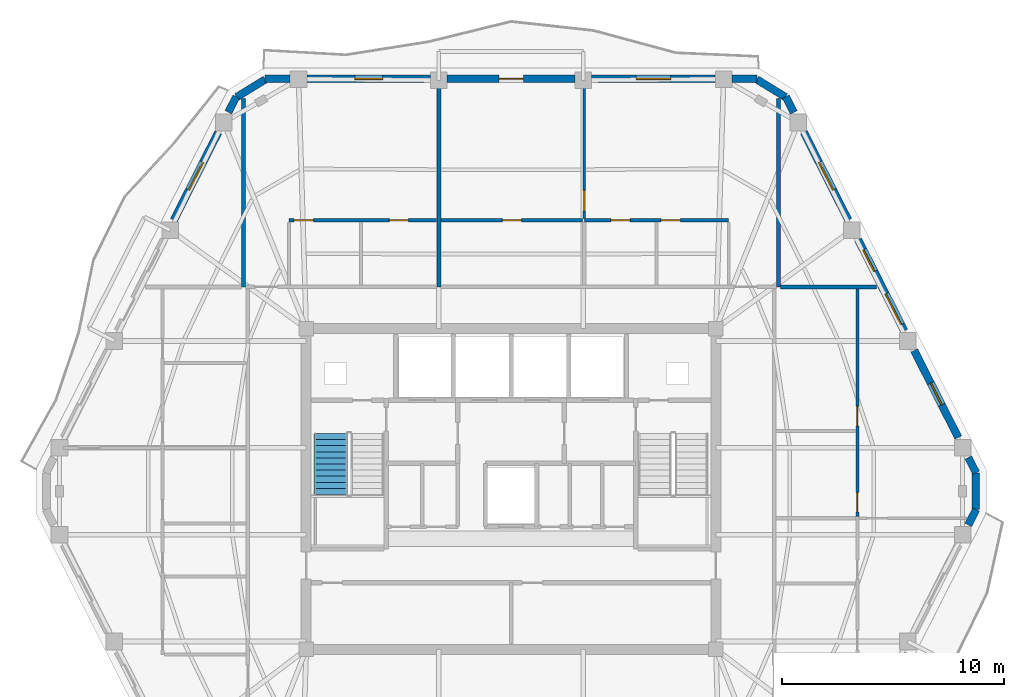
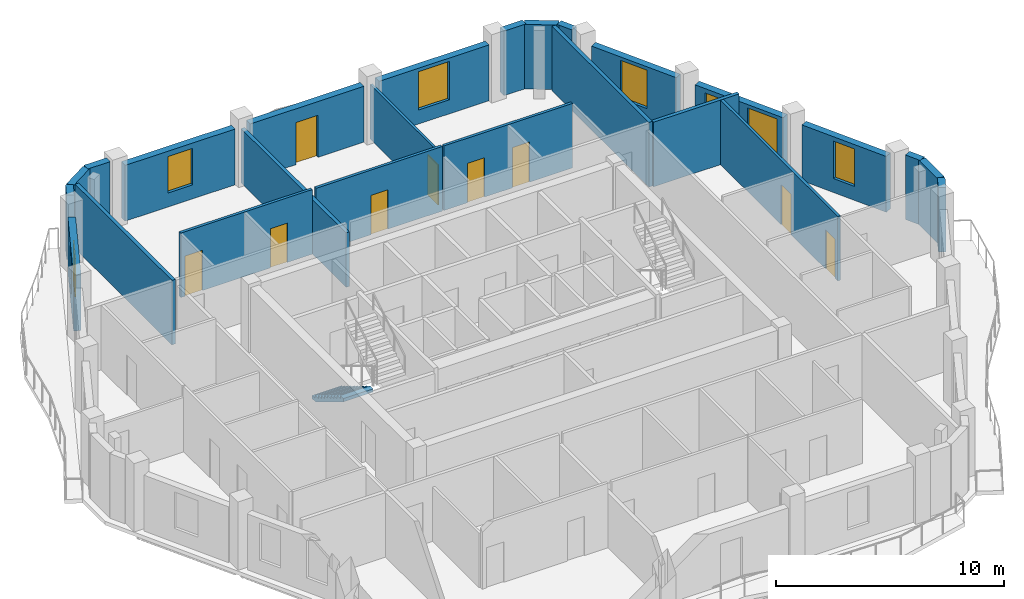
# One storey, part 7 of 11: 25 walls, 9 doors, 7 windows, 1 stair flight, 16 openings, 1 element without a shape of its own.
"""IFC4 building model written with IfcOpenShell, lengths in metres."""

from ifc_helpers import new_model, si_unit, direction, frame, frame_2d, origin, place, context, subcontext, project, spatial, polyline, rectangle, outline, extrude, material, layer, layer_set, type_object, element, fill, aggregate, save


model = new_model("IFC4")

# Units and contexts
model_context = context("Model", 3, precision=1e-05, world=origin(), true_north=direction((0.0, 1.0)))
body_context = subcontext(model_context, "Body", "Model", "MODEL_VIEW")
ifc_project = project(units=[si_unit("LENGTHUNIT", "METRE"), si_unit("AREAUNIT", "SQUARE_METRE"), si_unit("VOLUMEUNIT", "CUBIC_METRE"), si_unit("PLANEANGLEUNIT", "RADIAN"), si_unit("MASSUNIT", "GRAM", prefix="KILO")], contexts=[model_context])

# Site, building, storey
site_placement = place(None, origin())
site = spatial("IfcSite", under=ifc_project, at=site_placement, CompositionType="ELEMENT")
building_placement = place(site_placement, origin())
building = spatial("IfcBuilding", under=site, at=building_placement, Name="Cinnabar Lancet Tower", CompositionType="ELEMENT")
storey_placement = place(building_placement, frame((0.0, 0.0, 230.64990234375)))
storey = spatial("IfcBuildingStorey", under=building, at=storey_placement, Name="L61", CompositionType="ELEMENT", Elevation=230.64990234375)

# Walls
ifc_material_1 = material(Name="Fire-rated twin-frame acoustic drywall", Category="gypsum")
ifc_layer_1 = layer(ifc_material_1, 0.179931640625)
ifc_layer_set_1 = layer_set([ifc_layer_1], Name="Fire-rated twin-frame acoustic drywall")
wall_type_1 = type_object("IfcWallType", Name="ARC-WL-PARTY-180", PredefinedType="PARTITIONING", material=ifc_layer_set_1)
wall_1_placement = place(storey_placement, frame((20.35009765625, 35.0, 0.0), z_axis=(0.0, 0.0, 1.0), x_axis=(0.0, 1.0, 0.0)))
element("IfcWall", 1, at=wall_1_placement, inside=storey, type_object=wall_type_1, Name="PW-L61-NPTY-204", PredefinedType="PARTITIONING", context=body_context, shape_type="SweptSolid", body=[
    extrude(rectangle(XDim=8.48095703125, YDim=0.179931640625, at=frame_2d((4.240478515625, 0.0))), origin(), (0.0, 0.0, 1.0), 3.4501953125),
])
wall_2_placement = place(storey_placement, frame((29.14599609375, 35.0, 0.0), z_axis=(0.0, 0.0, 1.0), x_axis=(0.0, 1.0, 0.0)))
element("IfcWall", 2, at=wall_2_placement, inside=storey, type_object=wall_type_1, Name="PW-L61-NPTY-291", PredefinedType="PARTITIONING", context=body_context, shape_type="SweptSolid", body=[
    extrude(rectangle(XDim=9.195068359375, YDim=0.179931640625, at=frame_2d((4.59765625, 0.0))), origin(), (0.0, 0.0, 1.0), 2.906982421875),
])
wall_3_placement = place(storey_placement, frame((44.449951171875, 35.0, 0.0), z_axis=(0.0, 0.0, 1.0), x_axis=(0.0, 1.0, 0.0)))
element("IfcWall", 3, at=wall_3_placement, inside=storey, type_object=wall_type_1, Name="PW-L61-NPTY-444", PredefinedType="PARTITIONING", context=body_context, shape_type="SweptSolid", body=[
    extrude(rectangle(XDim=8.48095703125, YDim=0.179931640625, at=frame_2d((4.240478515625, 0.0))), origin(), (0.0, 0.0, 1.0), 3.4501953125),
])
wall_4_placement = place(storey_placement, frame((44.544921875, 35.0, 0.0), z_axis=(0.0, 0.0, 1.0), x_axis=(1.0, 0.0, 0.0)))
element("IfcWall", 4, at=wall_4_placement, inside=storey, type_object=wall_type_1, Name="PW-L61-ENB", PredefinedType="PARTITIONING", context=body_context, shape_type="SweptSolid", body=[
    extrude(rectangle(XDim=4.322021484375, YDim=0.179931640625, at=frame_2d((2.1611328125, 0.0))), origin(), (0.0, 0.0, 1.0), 3.4501953125),
])

# Wall, opening, door
ifc_material_2 = material(Name="Gypsum plasterboard stud partition", Category="gypsum")
ifc_layer_2 = layer(ifc_material_2, 0.125)
ifc_layer_set_2 = layer_set([ifc_layer_2], Name="Gypsum plasterboard stud partition")
wall_type_2 = type_object("IfcWallType", Name="ARC-WL-UNIT-125", PredefinedType="PARTITIONING", material=ifc_layer_set_2)
wall_5_placement = place(storey_placement, frame((35.697021484375, 38.075927734375, 0.0), z_axis=(0.0, 0.0, 1.0), x_axis=(0.0, 1.0, 0.0)))
wall_5 = element("IfcWall", 5, at=wall_5_placement, inside=storey, type_object=wall_type_2, Name="UW-L61-N02-MBW", PredefinedType="PARTITIONING", context=body_context, shape_type="SweptSolid", body=[
    extrude(rectangle(XDim=6.208984375, YDim=0.125, at=frame_2d((3.1044921875, 0.0))), origin(), (0.0, 0.0, 1.0), 2.906982421875),
])
opening_1_placement = place(wall_5_placement, frame((0.35009765625, 0.0, 0.0)))
opening_1 = element("IfcOpeningElement", 6, at=opening_1_placement, cuts=wall_5, Name="Opening RD-01", PredefinedType="OPENING", context=body_context, shape_type="SweptSolid", body=[
    extrude(rectangle(XDim=0.919921875, YDim=2.14990234375, at=frame_2d((0.4599609375, 1.074951171875))), frame((0.0, 0.072509765625, 0.0), z_axis=(0.0, -1.0, 0.0), x_axis=(1.0, 0.0, 0.0)), (0.0, 0.0, 1.0), 0.14501953125),
])
ifc_material_3 = material(Name="Engineered timber bedroom door", Category="wood")
door_type_1 = type_object("IfcDoorType", Name="ARC-DR-ROOM", OperationType="NOTDEFINED", PredefinedType="DOOR", material=ifc_material_3)
door_1_placement = place(opening_1_placement, origin())
door_1 = element("IfcDoor", 7, at=door_1_placement, inside=storey, type_object=door_type_1, Name="DR-L61-N02-MBD", OperationType="SINGLE_SWING_RIGHT", OverallHeight=2.14990234375, OverallWidth=0.919921875, PredefinedType="DOOR", context=body_context, shape_type="SweptSolid", body=[
    extrude(rectangle(XDim=0.919921875, YDim=2.14990234375, at=frame_2d((0.4599609375, 1.074951171875))), frame((0.0, 0.02490234375, 0.0), z_axis=(0.0, -1.0, 0.0), x_axis=(1.0, 0.0, 0.0)), (0.0, 0.0, 1.0), 0.050048828125),
])
fill(opening_1, door_1)

# Wall, openings, doors
ifc_material_4 = material(Name="Moisture-resistant cement-board plumbing wall", Category="masonry")
ifc_layer_3 = layer(ifc_material_4, 0.139892578125)
ifc_layer_set_3 = layer_set([ifc_layer_3], Name="Moisture-resistant cement-board plumbing wall")
wall_type_3 = type_object("IfcWallType", Name="ARC-WL-WET-140", PredefinedType="PLUMBINGWALL", material=ifc_layer_set_3)
wall_6_placement = place(storey_placement, frame((22.39990234375, 38.0009765625, 0.0), z_axis=(0.0, 0.0, 1.0), x_axis=(1.0, 0.0, 0.0)))
wall_6 = element("IfcWall", 8, at=wall_6_placement, inside=storey, type_object=wall_type_3, Name="UW-L61-N01-SPL", PredefinedType="PLUMBINGWALL", context=body_context, shape_type="SweptSolid", body=[
    extrude(rectangle(XDim=6.651123046875, YDim=0.139892578125, at=frame_2d((3.32568359375, 0.0))), origin(), (0.0, 0.0, 1.0), 3.4501953125),
])
opening_2_placement = place(wall_6_placement, frame((4.52001953125, 0.0, 0.0)))
opening_2 = element("IfcOpeningElement", 9, at=opening_2_placement, cuts=wall_6, Name="Opening BD-01", PredefinedType="OPENING", context=body_context, shape_type="SweptSolid", body=[
    extrude(rectangle(XDim=0.860107421875, YDim=2.10009765625, at=frame_2d((0.43017578125, 1.050048828125))), frame((0.0, 0.079833984375, 0.0), z_axis=(0.0, -1.0, 0.0), x_axis=(1.0, 0.0, 0.0)), (0.0, 0.0, 1.0), 0.159912109375),
])
opening_3_placement = place(wall_6_placement, frame((0.219970703125, 0.0, 0.0)))
opening_3 = element("IfcOpeningElement", 10, at=opening_3_placement, cuts=wall_6, Name="Opening RD-02", PredefinedType="OPENING", context=body_context, shape_type="SweptSolid", body=[
    extrude(rectangle(XDim=0.8798828125, YDim=2.14990234375, at=frame_2d((0.43994140625, 1.074951171875))), frame((0.0, 0.079833984375, 0.0), z_axis=(0.0, -1.0, 0.0), x_axis=(1.0, 0.0, 0.0)), (0.0, 0.0, 1.0), 0.159912109375),
])
ifc_material_5 = material(Name="Moisture-resistant timber bathroom door", Category="wood")
door_type_2 = type_object("IfcDoorType", Name="ARC-DR-BATH", OperationType="NOTDEFINED", PredefinedType="DOOR", material=ifc_material_5)
door_2_placement = place(opening_2_placement, origin())
door_2 = element("IfcDoor", 11, at=door_2_placement, inside=storey, type_object=door_type_2, Name="DR-L61-N01-BTH", OperationType="SINGLE_SWING_RIGHT", OverallHeight=2.10009765625, OverallWidth=0.860107421875, PredefinedType="DOOR", context=body_context, shape_type="SweptSolid", body=[
    extrude(rectangle(XDim=0.860107421875, YDim=2.10009765625, at=frame_2d((0.43017578125, 1.050048828125))), frame((0.0, 0.02490234375, 0.0), z_axis=(0.0, -1.0, 0.0), x_axis=(1.0, 0.0, 0.0)), (0.0, 0.0, 1.0), 0.050048828125),
])
fill(opening_2, door_2)
ifc_material_6 = material(Name="Engineered timber study door", Category="wood")
door_type_3 = type_object("IfcDoorType", Name="ARC-DR-STUDY", OperationType="NOTDEFINED", PredefinedType="DOOR", material=ifc_material_6)
door_3_placement = place(opening_3_placement, origin())
door_3 = element("IfcDoor", 12, at=door_3_placement, inside=storey, type_object=door_type_3, Name="DR-L61-N01-KIT", OperationType="SINGLE_SWING_LEFT", OverallHeight=2.14990234375, OverallWidth=0.8798828125, PredefinedType="DOOR", context=body_context, shape_type="SweptSolid", body=[
    extrude(rectangle(XDim=0.8798828125, YDim=2.14990234375, at=frame_2d((0.43994140625, 1.074951171875))), frame((0.0, 0.02490234375, 0.0), z_axis=(0.0, -1.0, 0.0), x_axis=(1.0, 0.0, 0.0)), (0.0, 0.0, 1.0), 0.050048828125),
])
fill(opening_3, door_3)

wall_7_placement = place(storey_placement, frame((35.697021484375, 38.0009765625, 0.0), z_axis=(0.0, 0.0, 1.0), x_axis=(1.0, 0.0, 0.0)))
wall_7 = element("IfcWall", 13, at=wall_7_placement, inside=storey, type_object=wall_type_3, Name="UW-L61-N02-SPL", PredefinedType="PLUMBINGWALL", context=body_context, shape_type="SweptSolid", body=[
    extrude(rectangle(XDim=6.5029296875, YDim=0.139892578125, at=frame_2d((3.25146484375, 0.0))), origin(), (0.0, 0.0, 1.0), 3.4501953125),
])
opening_4_placement = place(wall_7_placement, frame((1.200927734375, 0.0, 0.0)))
opening_4 = element("IfcOpeningElement", 14, at=opening_4_placement, cuts=wall_7, Name="Opening BD-01", PredefinedType="OPENING", context=body_context, shape_type="SweptSolid", body=[
    extrude(rectangle(XDim=0.860107421875, YDim=2.10009765625, at=frame_2d((0.43017578125, 1.050048828125))), frame((0.0, 0.079833984375, 0.0), z_axis=(0.0, -1.0, 0.0), x_axis=(1.0, 0.0, 0.0)), (0.0, 0.0, 1.0), 0.159912109375),
])
opening_5_placement = place(wall_7_placement, frame((3.451904296875, 0.0, 0.0)))
opening_5 = element("IfcOpeningElement", 15, at=opening_5_placement, cuts=wall_7, Name="Opening RD-02", PredefinedType="OPENING", context=body_context, shape_type="SweptSolid", body=[
    extrude(rectangle(XDim=0.8798828125, YDim=2.14990234375, at=frame_2d((0.43994140625, 1.074951171875))), frame((0.0, 0.079833984375, 0.0), z_axis=(0.0, -1.0, 0.0), x_axis=(1.0, 0.0, 0.0)), (0.0, 0.0, 1.0), 0.159912109375),
])
door_4_placement = place(opening_4_placement, origin())
door_4 = element("IfcDoor", 16, at=door_4_placement, inside=storey, type_object=door_type_2, Name="DR-L61-N02-BTH", OperationType="SINGLE_SWING_RIGHT", OverallHeight=2.10009765625, OverallWidth=0.860107421875, PredefinedType="DOOR", context=body_context, shape_type="SweptSolid", body=[
    extrude(rectangle(XDim=0.860107421875, YDim=2.10009765625, at=frame_2d((0.43017578125, 1.050048828125))), frame((0.0, 0.02490234375, 0.0), z_axis=(0.0, -1.0, 0.0), x_axis=(1.0, 0.0, 0.0)), (0.0, 0.0, 1.0), 0.050048828125),
])
fill(opening_4, door_4)
door_5_placement = place(opening_5_placement, origin())
door_5 = element("IfcDoor", 17, at=door_5_placement, inside=storey, type_object=door_type_3, Name="DR-L61-N02-KIT", OperationType="SINGLE_SWING_LEFT", OverallHeight=2.14990234375, OverallWidth=0.8798828125, PredefinedType="DOOR", context=body_context, shape_type="SweptSolid", body=[
    extrude(rectangle(XDim=0.8798828125, YDim=2.14990234375, at=frame_2d((0.43994140625, 1.074951171875))), frame((0.0, 0.02490234375, 0.0), z_axis=(0.0, -1.0, 0.0), x_axis=(1.0, 0.0, 0.0)), (0.0, 0.0, 1.0), 0.050048828125),
])
fill(opening_5, door_5)

# Wall, opening, door
wall_8_placement = place(storey_placement, frame((29.240966796875, 38.0009765625, 0.0), z_axis=(0.0, 0.0, 1.0), x_axis=(1.0, 0.0, 0.0)))
wall_8 = element("IfcWall", 18, at=wall_8_placement, inside=storey, type_object=wall_type_3, Name="UW-L61-N02-SPM", PredefinedType="PLUMBINGWALL", context=body_context, shape_type="SweptSolid", body=[
    extrude(rectangle(XDim=6.381103515625, YDim=0.139892578125, at=frame_2d((3.1904296875, 0.0))), origin(), (0.0, 0.0, 1.0), 3.4501953125),
])
opening_6_placement = place(wall_8_placement, frame((2.76611328125, 0.0, 0.0)))
opening_6 = element("IfcOpeningElement", 19, at=opening_6_placement, cuts=wall_8, Name="Opening BD-01", PredefinedType="OPENING", context=body_context, shape_type="SweptSolid", body=[
    extrude(rectangle(XDim=0.860107421875, YDim=2.10009765625, at=frame_2d((0.43017578125, 1.050048828125))), frame((0.0, 0.079833984375, 0.0), z_axis=(0.0, -1.0, 0.0), x_axis=(1.0, 0.0, 0.0)), (0.0, 0.0, 1.0), 0.159912109375),
])
door_6_placement = place(opening_6_placement, origin())
door_6 = element("IfcDoor", 20, at=door_6_placement, inside=storey, type_object=door_type_2, Name="DR-L61-N02-ENS", OperationType="SINGLE_SWING_LEFT", OverallHeight=2.10009765625, OverallWidth=0.860107421875, PredefinedType="DOOR", context=body_context, shape_type="SweptSolid", body=[
    extrude(rectangle(XDim=0.860107421875, YDim=2.10009765625, at=frame_2d((0.43017578125, 1.050048828125))), frame((0.0, 0.02490234375, 0.0), z_axis=(0.0, -1.0, 0.0), x_axis=(1.0, 0.0, 0.0)), (0.0, 0.0, 1.0), 0.050048828125),
])
fill(opening_6, door_6)

# Wall, openings, doors
wall_9_placement = place(storey_placement, frame((48.0, 24.654052734375, 0.0), z_axis=(0.0, 0.0, 1.0), x_axis=(0.0, 1.0, 0.0)))
wall_9 = element("IfcWall", 21, at=wall_9_placement, inside=storey, type_object=wall_type_3, Name="UW-L61-E01-SPM", PredefinedType="PLUMBINGWALL", context=body_context, shape_type="SweptSolid", body=[
    extrude(rectangle(XDim=10.2509765625, YDim=0.139892578125, at=frame_2d((5.12548828125, 0.0))), origin(), (0.0, 0.0, 1.0), 3.4501953125),
])
opening_7_placement = place(wall_9_placement, frame((0.219970703125, 0.0, 0.0)))
opening_7 = element("IfcOpeningElement", 22, at=opening_7_placement, cuts=wall_9, Name="Opening BD-01", PredefinedType="OPENING", context=body_context, shape_type="SweptSolid", body=[
    extrude(rectangle(XDim=0.860107421875, YDim=2.10009765625, at=frame_2d((0.43017578125, 1.050048828125))), frame((0.0, 0.079833984375, 0.0), z_axis=(0.0, -1.0, 0.0), x_axis=(1.0, 0.0, 0.0)), (0.0, 0.0, 1.0), 0.159912109375),
])
opening_8_placement = place(wall_9_placement, frame((4.0859375, 0.0, 0.0)))
opening_8 = element("IfcOpeningElement", 23, at=opening_8_placement, cuts=wall_9, Name="Opening RD-02", PredefinedType="OPENING", context=body_context, shape_type="SweptSolid", body=[
    extrude(rectangle(XDim=0.8798828125, YDim=2.14990234375, at=frame_2d((0.43994140625, 1.074951171875))), frame((0.0, 0.079833984375, 0.0), z_axis=(0.0, -1.0, 0.0), x_axis=(1.0, 0.0, 0.0)), (0.0, 0.0, 1.0), 0.159912109375),
])
door_7_placement = place(opening_7_placement, origin())
door_7 = element("IfcDoor", 24, at=door_7_placement, inside=storey, type_object=door_type_2, Name="DR-L61-E01-ENS", OperationType="SINGLE_SWING_RIGHT", OverallHeight=2.10009765625, OverallWidth=0.860107421875, PredefinedType="DOOR", context=body_context, shape_type="SweptSolid", body=[
    extrude(rectangle(XDim=0.860107421875, YDim=2.10009765625, at=frame_2d((0.43017578125, 1.050048828125))), frame((0.0, 0.02490234375, 0.0), z_axis=(0.0, -1.0, 0.0), x_axis=(1.0, 0.0, 0.0)), (0.0, 0.0, 1.0), 0.050048828125),
])
fill(opening_7, door_7)
door_8_placement = place(opening_8_placement, origin())
door_8 = element("IfcDoor", 25, at=door_8_placement, inside=storey, type_object=door_type_3, Name="DR-L61-E01-EWDR", OperationType="SINGLE_SWING_LEFT", OverallHeight=2.14990234375, OverallWidth=0.8798828125, PredefinedType="DOOR", context=body_context, shape_type="SweptSolid", body=[
    extrude(rectangle(XDim=0.8798828125, YDim=2.14990234375, at=frame_2d((0.43994140625, 1.074951171875))), frame((0.0, 0.02490234375, 0.0), z_axis=(0.0, -1.0, 0.0), x_axis=(1.0, 0.0, 0.0)), (0.0, 0.0, 1.0), 0.050048828125),
])
fill(opening_8, door_8)

# Walls
ifc_material_7 = material(Name="Cinnabar red clay brick", Category="masonry")
ifc_layer_4 = layer(ifc_material_7, 0.340087890625)
ifc_layer_set_4 = layer_set([ifc_layer_4], Name="Cinnabar red clay brick")
wall_type_4 = type_object("IfcWallType", Name="ENV-WL-BRK-RED-340", PredefinedType="STANDARD", material=ifc_layer_set_4)
wall_10_placement = place(storey_placement, frame((53.322998046875, 24.97998046875, 0.0), z_axis=(0.0, 0.0, 1.0), x_axis=(0.0, 1.0, 0.0)))
element("IfcWall", 26, at=wall_10_placement, inside=storey, type_object=wall_type_4, Name="L61 Chamfered Corner Brick Pier 3.1", PredefinedType="STANDARD", context=body_context, shape_type="SweptSolid", body=[
    extrude(rectangle(XDim=1.64013671875, YDim=0.340087890625, at=frame_2d((0.820068359375, 0.0))), origin(), (0.0, 0.0, 1.0), 3.4501953125),
])
for number, where, z_axis, x_axis, name in (
    (27, (44.7529296875, 43.554931640625, 0.0), (0.0, 0.0, 1.0), (-0.851680557619, 0.52406128246, 0.0), "L61 Chamfered Corner Brick Pier 4.1"),
    (28, (21.3310546875, 44.344970703125, 0.0), (0.0, 0.0, 1.0), (-0.851680557619, -0.52406128246, 0.0), "L61 Chamfered Corner Brick Pier 5.1"),
):
    element("IfcWall", number, at=place(storey_placement, frame(where, z_axis=z_axis, x_axis=x_axis)), inside=storey, type_object=wall_type_4, Name=name, PredefinedType="STANDARD", context=body_context, shape_type="SweptSolid", body=[
        extrude(rectangle(XDim=1.507568359375, YDim=0.340087890625, at=frame_2d((0.75390625, 0.0))), origin(), (0.0, 0.0, 1.0), 3.4501953125),
    ])
for number, where, z_axis, x_axis, name in (
    (29, (52.99609375, 24.283935546875, 0.0), (0.0, 0.0, 1.0), (0.45075284655, 0.892648795063, 0.0), "L61 Face 2 Masonry Bay Wall 5"),
    (30, (53.343994140625, 26.626953125, 0.0), (0.0, 0.0, 1.0), (-0.45075284655, 0.892648795063, 0.0), "L61 Face 3 Masonry Bay Wall 1"),
):
    element("IfcWall", number, at=place(storey_placement, frame(where, z_axis=z_axis, x_axis=x_axis)), inside=storey, type_object=wall_type_4, Name=name, PredefinedType="STANDARD", context=body_context, shape_type="SweptSolid", body=[
        extrude(rectangle(XDim=0.771728515625, YDim=0.340087890625, at=frame_2d((0.3857421875, 0.0))), origin(), (0.0, 0.0, 1.0), 3.4501953125),
    ])

# Wall, opening, window
wall_11_placement = place(storey_placement, frame((52.54296875, 28.2109375, 0.0), z_axis=(0.0, 0.0, 1.0), x_axis=(-0.451285866323, 0.892379441077, 0.0)))
wall_11 = element("IfcWall", 31, at=wall_11_placement, inside=storey, type_object=wall_type_4, Name="L61 Face 3 Masonry Bay Wall 2", PredefinedType="STANDARD", context=body_context, shape_type="SweptSolid", body=[
    extrude(rectangle(XDim=4.407470703125, YDim=0.340087890625, at=frame_2d((2.20361328125, 0.0))), origin(), (0.0, 0.0, 1.0), 2.983154296875),
])
opening_9_placement = place(wall_11_placement, frame((1.654052734375, 0.0, 0.75)))
opening_9 = element("IfcOpeningElement", 32, at=opening_9_placement, cuts=wall_11, Name="Opening WN-04", PredefinedType="OPENING", context=body_context, shape_type="SweptSolid", body=[
    extrude(rectangle(XDim=1.10009765625, YDim=2.0, at=frame_2d((0.550048828125, 1.0))), frame((0.0, 0.179931640625, 0.0), z_axis=(0.0, -1.0, 0.0), x_axis=(1.0, 0.0, 0.0)), (0.0, 0.0, 1.0), 0.360107421875),
])
ifc_material_8 = material(Name="Thermally broken bronze-anodized aluminium tall lancet window", Category="aluminium")
window_type_1 = type_object("IfcWindowType", Name="ENV-WN-LANCET-1100", PartitioningType="SINGLE_PANEL", PredefinedType="WINDOW", material=ifc_material_8)
window_1_placement = place(opening_9_placement, origin())
window_1 = element("IfcWindow", 33, at=window_1_placement, inside=storey, type_object=window_type_1, Name="L61 Face 3 Gothic Lancet Window 2", OverallHeight=2.0, OverallWidth=1.10009765625, PartitioningType="SINGLE_PANEL", PredefinedType="WINDOW", context=body_context, shape_type="SweptSolid", body=[
    extrude(rectangle(XDim=1.10009765625, YDim=2.0, at=frame_2d((0.550048828125, 1.0))), frame((0.0, 0.030029296875, 0.0), z_axis=(0.0, -1.0, 0.0), x_axis=(1.0, 0.0, 0.0)), (0.0, 0.0, 1.0), 0.06005859375),
])
fill(opening_9, window_1)

# Wall, openings, windows
wall_12_placement = place(storey_placement, frame((50.10888671875, 33.02294921875, 0.0), z_axis=(0.0, 0.0, 1.0), x_axis=(-0.451539564999, 0.892251097641, 0.0)))
wall_12 = element("IfcWall", 34, at=wall_12_placement, inside=storey, type_object=wall_type_4, Name="L61 Face 3 Masonry Bay Wall 3", PredefinedType="STANDARD", context=body_context, shape_type="SweptSolid", body=[
    extrude(rectangle(XDim=4.599609375, YDim=0.340087890625, at=frame_2d((2.2998046875, 0.0))), origin(), (0.0, 0.0, 1.0), 2.983154296875),
])
opening_10_placement = place(wall_12_placement, frame((0.31201171875, 0.0, 0.75)))
opening_10 = element("IfcOpeningElement", 35, at=opening_10_placement, cuts=wall_12, Name="Opening WN-01", PredefinedType="OPENING", context=body_context, shape_type="SweptSolid", body=[
    extrude(rectangle(XDim=1.550048828125, YDim=2.050048828125, at=frame_2d((0.77490234375, 1.02490234375))), frame((0.0, 0.179931640625, 0.0), z_axis=(0.0, -1.0, 0.0), x_axis=(1.0, 0.0, 0.0)), (0.0, 0.0, 1.0), 0.360107421875),
])
opening_11_placement = place(wall_12_placement, frame((2.988037109375, 0.0, 0.75)))
opening_11 = element("IfcOpeningElement", 36, at=opening_11_placement, cuts=wall_12, Name="Opening WN-04", PredefinedType="OPENING", context=body_context, shape_type="SweptSolid", body=[
    extrude(rectangle(XDim=1.10009765625, YDim=2.0, at=frame_2d((0.550048828125, 1.0))), frame((0.0, 0.179931640625, 0.0), z_axis=(0.0, -1.0, 0.0), x_axis=(1.0, 0.0, 0.0)), (0.0, 0.0, 1.0), 0.360107421875),
])
window_2_placement = place(opening_11_placement, origin())
window_2 = element("IfcWindow", 37, at=window_2_placement, inside=storey, type_object=window_type_1, Name="L61 Split-Bay Gothic Lancet Window 212", OverallHeight=2.0, OverallWidth=1.10009765625, PartitioningType="SINGLE_PANEL", PredefinedType="WINDOW", context=body_context, shape_type="SweptSolid", body=[
    extrude(rectangle(XDim=1.10009765625, YDim=2.0, at=frame_2d((0.550048828125, 1.0))), frame((0.0, 0.030029296875, 0.0), z_axis=(0.0, -1.0, 0.0), x_axis=(1.0, 0.0, 0.0)), (0.0, 0.0, 1.0), 0.06005859375),
])
fill(opening_11, window_2)
ifc_material_9 = material(Name="Thermally broken bronze-anodized aluminium low-E double glazing", Category="aluminium")
window_type_2 = type_object("IfcWindowType", Name="ENV-WN-LANCET-1550", PartitioningType="SINGLE_PANEL", PredefinedType="WINDOW", material=ifc_material_9)
window_3_placement = place(opening_10_placement, origin())
window_3 = element("IfcWindow", 38, at=window_3_placement, inside=storey, type_object=window_type_2, Name="L61 Face 3 Gothic Lancet Window 3", OverallHeight=2.050048828125, OverallWidth=1.550048828125, PartitioningType="SINGLE_PANEL", PredefinedType="WINDOW", context=body_context, shape_type="SweptSolid", body=[
    extrude(rectangle(XDim=1.550048828125, YDim=2.050048828125, at=frame_2d((0.77490234375, 1.02490234375))), frame((0.0, 0.030029296875, 0.0), z_axis=(0.0, -1.0, 0.0), x_axis=(1.0, 0.0, 0.0)), (0.0, 0.0, 1.0), 0.06005859375),
])
fill(opening_10, window_3)

# Wall, opening, window
wall_13_placement = place(storey_placement, frame((47.5859375, 38.010009765625, 0.0), z_axis=(0.0, 0.0, 1.0), x_axis=(-0.451463046281, 0.89228981718, 0.0)))
wall_13 = element("IfcWall", 39, at=wall_13_placement, inside=storey, type_object=wall_type_4, Name="L61 Face 3 Masonry Bay Wall 4", PredefinedType="STANDARD", context=body_context, shape_type="SweptSolid", body=[
    extrude(rectangle(XDim=4.429931640625, YDim=0.340087890625, at=frame_2d((2.21484375, 0.0))), origin(), (0.0, 0.0, 1.0), 2.983154296875),
])
opening_12_placement = place(wall_13_placement, frame((1.514892578125, 0.0, 0.75)))
opening_12 = element("IfcOpeningElement", 40, at=opening_12_placement, cuts=wall_13, Name="Opening WN-02", PredefinedType="OPENING", context=body_context, shape_type="SweptSolid", body=[
    extrude(rectangle(XDim=1.39990234375, YDim=2.050048828125, at=frame_2d((0.699951171875, 1.02490234375))), frame((0.0, 0.179931640625, 0.0), z_axis=(0.0, -1.0, 0.0), x_axis=(1.0, 0.0, 0.0)), (0.0, 0.0, 1.0), 0.360107421875),
])
ifc_material_10 = material(Name="Thermally broken bronze-anodized aluminium low-E double glazing", Category="aluminium")
window_type_3 = type_object("IfcWindowType", Name="ENV-WN-LANCET-1400", PartitioningType="SINGLE_PANEL", PredefinedType="WINDOW", material=ifc_material_10)
window_4_placement = place(opening_12_placement, origin())
window_4 = element("IfcWindow", 41, at=window_4_placement, inside=storey, type_object=window_type_3, Name="L61 Face 3 Gothic Lancet Window 4", OverallHeight=2.050048828125, OverallWidth=1.39990234375, PartitioningType="SINGLE_PANEL", PredefinedType="WINDOW", context=body_context, shape_type="SweptSolid", body=[
    extrude(rectangle(XDim=1.39990234375, YDim=2.050048828125, at=frame_2d((0.699951171875, 1.02490234375))), frame((0.0, 0.030029296875, 0.0), z_axis=(0.0, -1.0, 0.0), x_axis=(1.0, 0.0, 0.0)), (0.0, 0.0, 1.0), 0.06005859375),
])
fill(opening_12, window_4)

# Walls
wall_14_placement = place(storey_placement, frame((45.1298828125, 42.864990234375, 0.0), z_axis=(0.0, 0.0, 1.0), x_axis=(-0.451159191899, 0.892443490404, 0.0)))
element("IfcWall", 42, at=wall_14_placement, inside=storey, type_object=wall_type_4, Name="L61 Face 3 Masonry Bay Wall 5", PredefinedType="STANDARD", context=body_context, shape_type="SweptSolid", body=[
    extrude(rectangle(XDim=0.791259765625, YDim=0.340087890625, at=frame_2d((0.3955078125, 0.0))), origin(), (0.0, 0.0, 1.0), 3.4501953125),
])
wall_15_placement = place(storey_placement, frame((43.47412109375, 44.3701171875, 0.0), z_axis=(0.0, 0.0, 1.0), x_axis=(-1.0, 0.0, 0.0)))
element("IfcWall", 43, at=wall_15_placement, inside=storey, type_object=wall_type_4, Name="L61 Face 4 Masonry Bay Wall 1", PredefinedType="STANDARD", context=body_context, shape_type="SweptSolid", body=[
    extrude(rectangle(XDim=1.123046875, YDim=0.340087890625, at=frame_2d((0.5615234375, 0.0))), origin(), (0.0, 0.0, 1.0), 3.4501953125),
])

# Wall, opening, window
wall_16_placement = place(storey_placement, frame((41.593017578125, 44.3701171875, 0.0), z_axis=(0.0, 0.0, 1.0), x_axis=(-1.0, 0.0, 0.0)))
wall_16 = element("IfcWall", 44, at=wall_16_placement, inside=storey, type_object=wall_type_4, Name="L61 Face 4 Masonry Bay Wall 2", PredefinedType="STANDARD", context=body_context, shape_type="SweptSolid", body=[
    extrude(rectangle(XDim=5.56005859375, YDim=0.340087890625, at=frame_2d((2.780029296875, 0.0))), origin(), (0.0, 0.0, 1.0), 2.983154296875),
])
opening_13_placement = place(wall_16_placement, frame((2.0048828125, 0.0, 0.75)))
opening_13 = element("IfcOpeningElement", 45, at=opening_13_placement, cuts=wall_16, Name="Opening WN-01", PredefinedType="OPENING", context=body_context, shape_type="SweptSolid", body=[
    extrude(rectangle(XDim=1.550048828125, YDim=2.050048828125, at=frame_2d((0.77490234375, 1.02490234375))), frame((0.0, 0.179931640625, 0.0), z_axis=(0.0, -1.0, 0.0), x_axis=(1.0, 0.0, 0.0)), (0.0, 0.0, 1.0), 0.360107421875),
])
window_5_placement = place(opening_13_placement, origin())
window_5 = element("IfcWindow", 46, at=window_5_placement, inside=storey, type_object=window_type_2, Name="L61 Face 4 Gothic Lancet Window 2", OverallHeight=2.050048828125, OverallWidth=1.550048828125, PartitioningType="SINGLE_PANEL", PredefinedType="WINDOW", context=body_context, shape_type="SweptSolid", body=[
    extrude(rectangle(XDim=1.550048828125, YDim=2.050048828125, at=frame_2d((0.77490234375, 1.02490234375))), frame((0.0, 0.030029296875, 0.0), z_axis=(0.0, -1.0, 0.0), x_axis=(1.0, 0.0, 0.0)), (0.0, 0.0, 1.0), 0.06005859375),
])
fill(opening_13, window_5)

# Wall, opening, door
wall_17_placement = place(storey_placement, frame((35.27490234375, 44.3701171875, 0.0), z_axis=(0.0, 0.0, 1.0), x_axis=(-1.0, 0.0, 0.0)))
wall_17 = element("IfcWall", 47, at=wall_17_placement, inside=storey, type_object=wall_type_4, Name="L61 Face 4 Masonry Bay Wall 3", PredefinedType="STANDARD", context=body_context, shape_type="SweptSolid", body=[
    extrude(rectangle(XDim=5.75, YDim=0.340087890625, at=frame_2d((2.875, 0.0))), origin(), (0.0, 0.0, 1.0), 2.983154296875),
])
opening_14_placement = place(wall_17_placement, frame((2.324951171875, 0.0, 0.0)))
opening_14 = element("IfcOpeningElement", 48, at=opening_14_placement, cuts=wall_17, Name="Opening TD-01", PredefinedType="OPENING", context=body_context, shape_type="SweptSolid", body=[
    extrude(rectangle(XDim=1.10009765625, YDim=2.25, at=frame_2d((0.550048828125, 1.125))), frame((0.0, 0.179931640625, 0.0), z_axis=(0.0, -1.0, 0.0), x_axis=(1.0, 0.0, 0.0)), (0.0, 0.0, 1.0), 0.360107421875),
])
ifc_material_11 = material(Name="Thermally broken low-E glazed balcony terrace door", Category="wood")
door_type_4 = type_object("IfcDoorType", Name="ARC-DR-BALC", OperationType="NOTDEFINED", PredefinedType="DOOR", material=ifc_material_11)
door_9_placement = place(opening_14_placement, origin())
door_9 = element("IfcDoor", 49, at=door_9_placement, inside=storey, type_object=door_type_4, Name="L61 Face 4 Glazed Terrace Door", OperationType="SINGLE_SWING_RIGHT", OverallHeight=2.25, OverallWidth=1.10009765625, PredefinedType="DOOR", context=body_context, shape_type="SweptSolid", body=[
    extrude(rectangle(XDim=1.10009765625, YDim=2.25, at=frame_2d((0.550048828125, 1.125))), frame((0.0, 0.02490234375, 0.0), z_axis=(0.0, -1.0, 0.0), x_axis=(1.0, 0.0, 0.0)), (0.0, 0.0, 1.0), 0.050048828125),
])
fill(opening_14, door_9)

# Wall, opening, window
wall_18_placement = place(storey_placement, frame((28.76708984375, 44.3701171875, 0.0), z_axis=(0.0, 0.0, 1.0), x_axis=(-1.0, 0.0, 0.0)))
wall_18 = element("IfcWall", 50, at=wall_18_placement, inside=storey, type_object=wall_type_4, Name="L61 Face 4 Masonry Bay Wall 4", PredefinedType="STANDARD", context=body_context, shape_type="SweptSolid", body=[
    extrude(rectangle(XDim=5.56005859375, YDim=0.340087890625, at=frame_2d((2.780029296875, 0.0))), origin(), (0.0, 0.0, 1.0), 2.983154296875),
])
opening_15_placement = place(wall_18_placement, frame((2.155029296875, 0.0, 0.75)))
opening_15 = element("IfcOpeningElement", 51, at=opening_15_placement, cuts=wall_18, Name="Opening WN-03", PredefinedType="OPENING", context=body_context, shape_type="SweptSolid", body=[
    extrude(rectangle(XDim=1.25, YDim=1.949951171875, at=frame_2d((0.625, 0.97509765625))), frame((0.0, 0.179931640625, 0.0), z_axis=(0.0, -1.0, 0.0), x_axis=(1.0, 0.0, 0.0)), (0.0, 0.0, 1.0), 0.360107421875),
])
ifc_material_12 = material(Name="Thermally broken bronze-anodized aluminium low-E double glazing", Category="aluminium")
window_type_4 = type_object("IfcWindowType", Name="ENV-WN-LANCET-1250", PartitioningType="SINGLE_PANEL", PredefinedType="WINDOW", material=ifc_material_12)
window_6_placement = place(opening_15_placement, origin())
window_6 = element("IfcWindow", 52, at=window_6_placement, inside=storey, type_object=window_type_4, Name="L61 Face 4 Gothic Lancet Window 4", OverallHeight=1.949951171875, OverallWidth=1.25, PartitioningType="SINGLE_PANEL", PredefinedType="WINDOW", context=body_context, shape_type="SweptSolid", body=[
    extrude(rectangle(XDim=1.25, YDim=1.949951171875, at=frame_2d((0.625, 0.97509765625))), frame((0.0, 0.030029296875, 0.0), z_axis=(0.0, -1.0, 0.0), x_axis=(1.0, 0.0, 0.0)), (0.0, 0.0, 1.0), 0.06005859375),
])
fill(opening_15, window_6)

# Walls
wall_19_placement = place(storey_placement, frame((22.448974609375, 44.3701171875, 0.0), z_axis=(0.0, 0.0, 1.0), x_axis=(-1.0, 0.0, 0.0)))
element("IfcWall", 53, at=wall_19_placement, inside=storey, type_object=wall_type_4, Name="L61 Face 4 Masonry Bay Wall 5", PredefinedType="STANDARD", context=body_context, shape_type="SweptSolid", body=[
    extrude(rectangle(XDim=1.123046875, YDim=0.340087890625, at=frame_2d((0.5615234375, 0.0))), origin(), (0.0, 0.0, 1.0), 3.4501953125),
])
wall_20_placement = place(storey_placement, frame((20.027099609375, 43.571044921875, 0.0), z_axis=(0.0, 0.0, 1.0), x_axis=(-0.451404919072, -0.89231922485, 0.0)))
element("IfcWall", 54, at=wall_20_placement, inside=storey, type_object=wall_type_4, Name="L61 Face 5 Masonry Bay Wall 1", PredefinedType="STANDARD", context=body_context, shape_type="SweptSolid", body=[
    extrude(rectangle(XDim=0.791259765625, YDim=0.340087890625, at=frame_2d((0.3955078125, 0.0))), origin(), (0.0, 0.0, 1.0), 3.4501953125),
])

# Wall, opening, window
wall_21_placement = place(storey_placement, frame((19.214111328125, 41.962890625, 0.0), z_axis=(0.0, 0.0, 1.0), x_axis=(-0.451463046281, -0.89228981718, 0.0)))
wall_21 = element("IfcWall", 55, at=wall_21_placement, inside=storey, type_object=wall_type_4, Name="L61 Face 5 Masonry Bay Wall 2", PredefinedType="STANDARD", context=body_context, shape_type="SweptSolid", body=[
    extrude(rectangle(XDim=4.429931640625, YDim=0.340087890625, at=frame_2d((2.21484375, 0.0))), origin(), (0.0, 0.0, 1.0), 2.983154296875),
])
opening_16_placement = place(wall_21_placement, frame((1.514892578125, 0.0, 0.75)))
opening_16 = element("IfcOpeningElement", 56, at=opening_16_placement, cuts=wall_21, Name="Opening WN-02", PredefinedType="OPENING", context=body_context, shape_type="SweptSolid", body=[
    extrude(rectangle(XDim=1.39990234375, YDim=2.050048828125, at=frame_2d((0.699951171875, 1.02490234375))), frame((0.0, 0.179931640625, 0.0), z_axis=(0.0, -1.0, 0.0), x_axis=(1.0, 0.0, 0.0)), (0.0, 0.0, 1.0), 0.360107421875),
])
window_7_placement = place(opening_16_placement, origin())
window_7 = element("IfcWindow", 57, at=window_7_placement, inside=storey, type_object=window_type_3, Name="L61 Face 5 Gothic Lancet Window 2", OverallHeight=2.050048828125, OverallWidth=1.39990234375, PartitioningType="SINGLE_PANEL", PredefinedType="WINDOW", context=body_context, shape_type="SweptSolid", body=[
    extrude(rectangle(XDim=1.39990234375, YDim=2.050048828125, at=frame_2d((0.699951171875, 1.02490234375))), frame((0.0, 0.030029296875, 0.0), z_axis=(0.0, -1.0, 0.0), x_axis=(1.0, 0.0, 0.0)), (0.0, 0.0, 1.0), 0.06005859375),
])
fill(opening_16, window_7)

# Stair, stair flight
ifc_material_13 = material(Name="Concrete C40/50", Category="concrete")
stair_type = type_object("IfcStairType", Name="ST-CORE", PredefinedType="HALF_TURN_STAIR", material=ifc_material_13)
stair_placement = place(storey_placement, origin())
stair = element("IfcStair", 58, at=stair_placement, inside=storey, type_object=stair_type, Name="L61 ST-1", PredefinedType="HALF_TURN_STAIR")
ifc_material_14 = material(Name="Concrete C40/50", Category="concrete")
stair_flight_type = type_object("IfcStairFlightType", Name="FLIGHT-CORE", PredefinedType="STRAIGHT", material=ifc_material_14)
stair_flight_placement = place(storey_placement, frame((24.27490234375, 28.39990234375, 0.0), z_axis=(0.0, 0.0, 1.0), x_axis=(0.0, -1.0, 0.0)))
stair_flight = element("IfcStairFlight", 59, at=stair_flight_placement, type_object=stair_flight_type, Name="ST-1 flight 1", NumberOfRisers=11, NumberOfTreads=10, PredefinedType="STRAIGHT", RiserHeight=0.165909091, TreadLength=0.275, context=body_context, shape_type="SweptSolid", body=[
    extrude(outline(polyline([(0.0, 0.0), (0.0, 0.166015625), (0.27490234375, 0.166015625), (0.27490234375, 0.331787109375), (0.550048828125, 0.331787109375), (0.550048828125, 0.497802734375), (0.824951171875, 0.497802734375), (0.824951171875, 0.66357421875), (1.10009765625, 0.66357421875), (1.10009765625, 0.82958984375), (1.375, 0.82958984375), (1.375, 0.995361328125), (1.64990234375, 0.995361328125), (1.64990234375, 1.161376953125), (1.925048828125, 1.161376953125), (1.925048828125, 1.327392578125), (2.199951171875, 1.327392578125), (2.199951171875, 1.4931640625), (2.47509765625, 1.4931640625), (2.47509765625, 1.6591796875), (2.75, 1.6591796875), (2.75, 1.824951171875), (2.75, 1.484130859375), (0.290283203125, 0.0), (0.0, 0.0)])), frame((0.0, 0.75, 0.0), z_axis=(0.0, -1.0, 0.0), x_axis=(1.0, 0.0, 0.0)), (0.0, 0.0, 1.0), 1.5),
])
aggregate(stair, [stair_flight])

save(model, "model.ifc")
